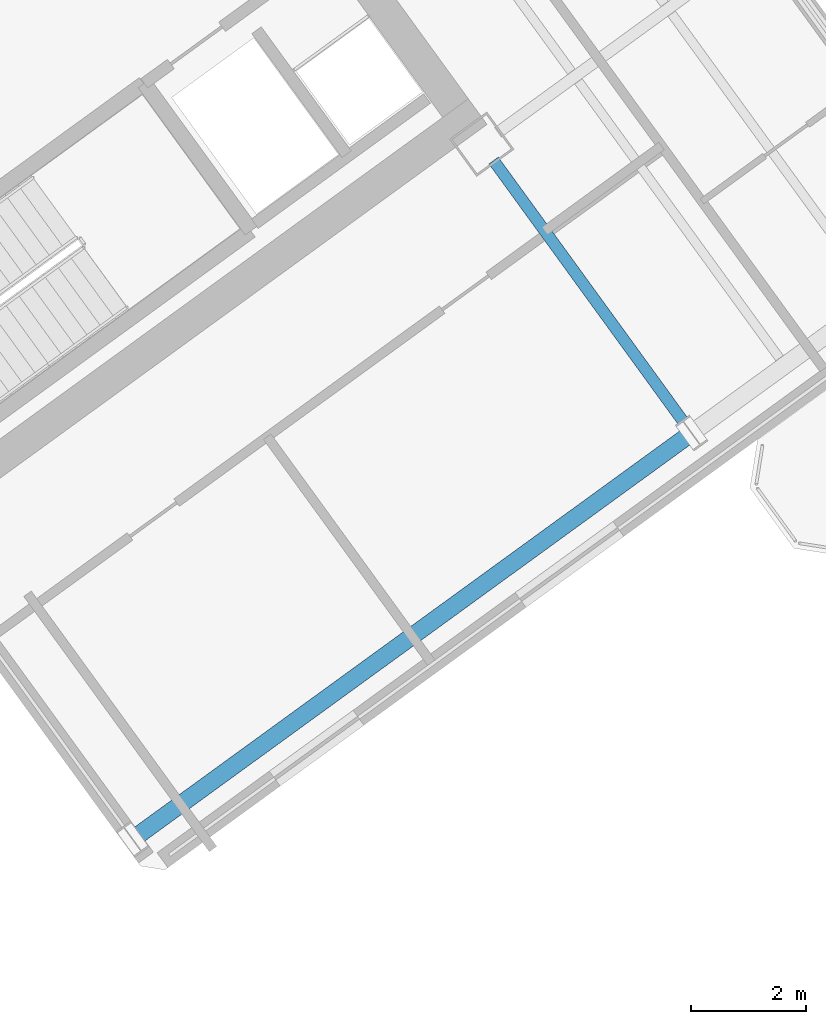
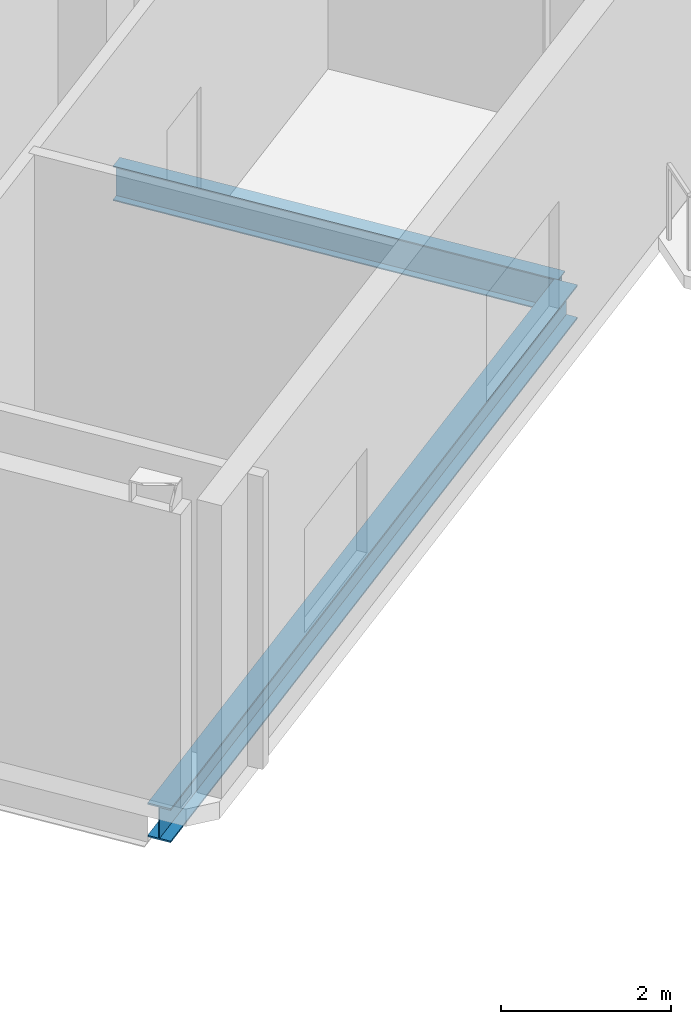
# One storey, part 11 of 34: 2 beams.
"""IFC4 building model written with IfcOpenShell, lengths in metres."""

from ifc_helpers import new_model, si_unit, direction, frame, origin, origin_2d, place, context, subcontext, project, spatial, i_section, extrude, source, transform, mapped, material, material_profile, profile_set, type_object, element, save


model = new_model("IFC4")

# Units and contexts
model_context = context("Model", 3, precision=1e-05, world=origin(), true_north=direction((0.0, 1.0)))
body_context = subcontext(model_context, "Body", "Model", "MODEL_VIEW")
ifc_project = project(units=[si_unit("LENGTHUNIT", "METRE"), si_unit("AREAUNIT", "SQUARE_METRE"), si_unit("VOLUMEUNIT", "CUBIC_METRE"), si_unit("PLANEANGLEUNIT", "RADIAN"), si_unit("MASSUNIT", "GRAM", prefix="KILO")], contexts=[model_context])

# Site, building, storey
site_placement = place(None, origin())
site = spatial("IfcSite", under=ifc_project, at=site_placement, CompositionType="ELEMENT")
building_placement = place(site_placement, origin())
building = spatial("IfcBuilding", under=site, at=building_placement, Name="Tlacorven Tower", CompositionType="ELEMENT")
storey_placement = place(building_placement, frame((0.0, 0.0, 174.89990234375)))
storey = spatial("IfcBuildingStorey", under=building, at=storey_placement, Name="L44", CompositionType="ELEMENT", Elevation=174.89990234375)

# Beams
ifc_material = material(Name="Steel S355J2", Category="steel")
ifc_material_profile_1 = material_profile(ifc_material, i_section(OverallWidth=0.300048828125, OverallDepth=0.489990234375, WebThickness=0.011962890625, FlangeThickness=0.02294921875, at=origin_2d()), Name="HEA 500")
ifc_profile_set_1 = profile_set([ifc_material_profile_1], Name="Steel S355J2")
beam_type_1 = type_object("IfcBeamType", Name="BM-SPN-500", PredefinedType="SPANDREL", material=ifc_profile_set_1)
shared_shape_1 = source(origin(), body_context, "Body", "SweptSolid", [
    extrude(i_section(OverallWidth=0.300048828125, OverallDepth=0.489990234375, WebThickness=0.011962890625, FlangeThickness=0.02294921875, at=origin_2d()), origin(), (0.0, 0.0, 1.0), 11.800048828125),
])
beam_1_placement = place(storey_placement, frame((56.4306640625, 7.816162109375, -0.494873046875), z_axis=(0.80900977213, 0.587795192732, 0.0), x_axis=(-0.587795192732, 0.80900977213, 0.0)))
element("IfcBeam", 1, at=beam_1_placement, inside=storey, type_object=beam_type_1, Name="L44 beam BM-L44-EL1-1", PredefinedType="SPANDREL", context=body_context, shape_type="MappedRepresentation", body=[
    mapped(shared_shape_1, transform((0.0, 0.0, 0.0), scale=1.0)),
])
ifc_material_profile_2 = material_profile(ifc_material, i_section(OverallWidth=0.199951171875, OverallDepth=0.5, WebThickness=0.01025390625, FlangeThickness=0.01611328125, at=origin_2d()), Name="IPE 500")
ifc_profile_set_2 = profile_set([ifc_material_profile_2], Name="Steel S355J2")
beam_type_2 = type_object("IfcBeamType", Name="BM-TWR-500", PredefinedType="BEAM", material=ifc_profile_set_2)
shared_shape_2 = source(origin(), body_context, "Body", "SweptSolid", [
    extrude(i_section(OverallWidth=0.199951171875, OverallDepth=0.5, WebThickness=0.01025390625, FlangeThickness=0.01611328125, at=origin_2d()), origin(), (0.0, 0.0, 1.0), 5.75),
])
beam_2_placement = place(storey_placement, frame((65.9990234375, 14.891845703125, -0.5), z_axis=(-0.587770208527, 0.809027924097, 0.0), x_axis=(-0.809027924097, -0.587770208527, 0.0)))
element("IfcBeam", 2, at=beam_2_placement, inside=storey, type_object=beam_type_2, Name="L44 beam BM-L44-ET3-1", PredefinedType="BEAM", context=body_context, shape_type="MappedRepresentation", body=[
    mapped(shared_shape_2, transform((0.0, 0.0, 0.0), scale=1.0)),
])

save(model, "model.ifc")
